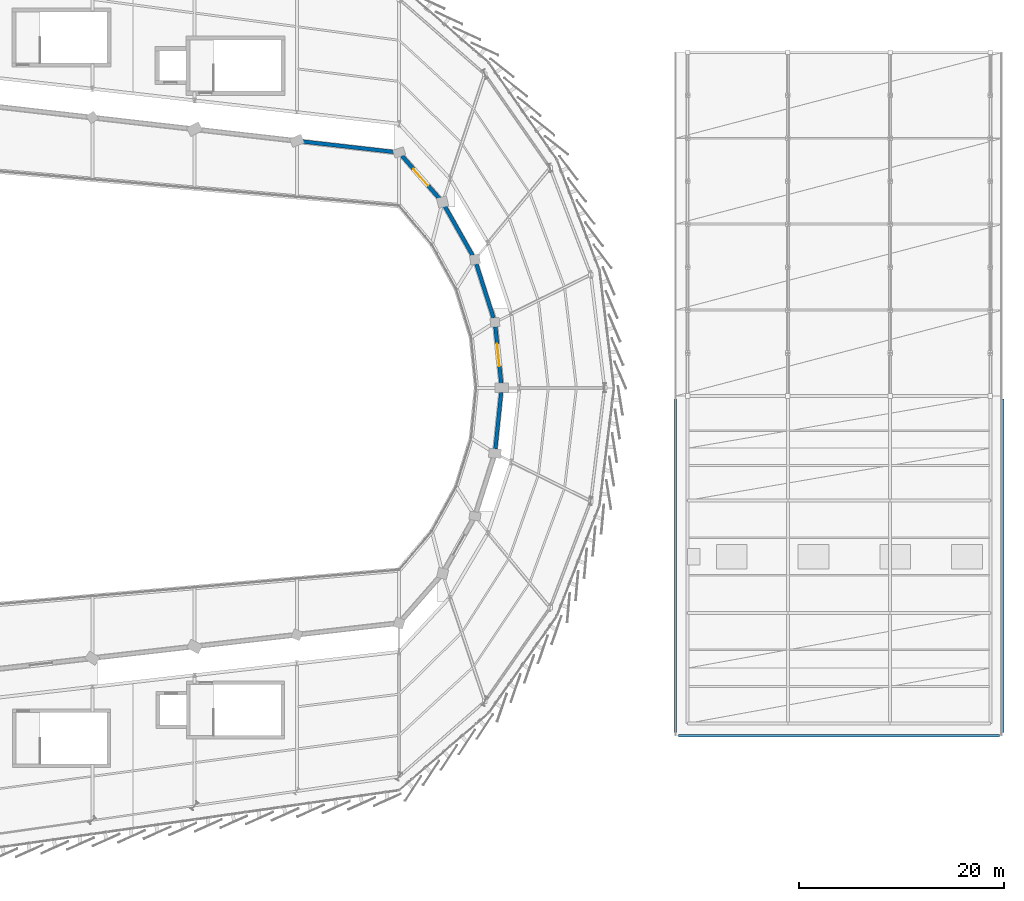
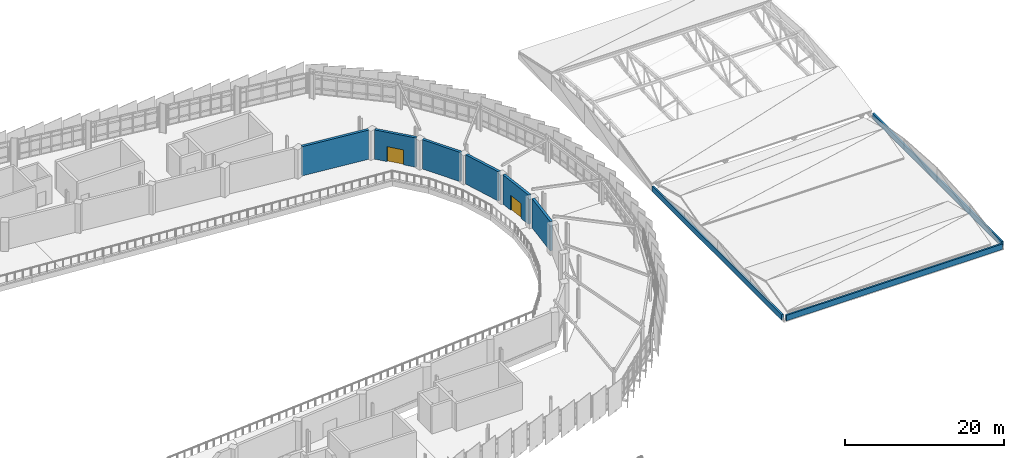
# One storey, part 79 of 87: 9 walls, 2 doors, 2 openings.
"""IFC4 building model written with IfcOpenShell, lengths in metres."""

from ifc_helpers import new_model, si_unit, direction, frame, frame_2d, origin, place, context, subcontext, project, spatial, rectangle, extrude, material, layer, layer_set, type_object, element, fill, save


model = new_model("IFC4")

# Units and contexts
model_context = context("Model", 3, precision=1e-05, world=origin(), true_north=direction((0.0, 1.0)))
body_context = subcontext(model_context, "Body", "Model", "MODEL_VIEW")
ifc_project = project(units=[si_unit("LENGTHUNIT", "METRE"), si_unit("AREAUNIT", "SQUARE_METRE"), si_unit("VOLUMEUNIT", "CUBIC_METRE"), si_unit("PLANEANGLEUNIT", "RADIAN"), si_unit("MASSUNIT", "GRAM", prefix="KILO")], contexts=[model_context])

# Site, building, storey
site_placement = place(None, origin())
site = spatial("IfcSite", under=ifc_project, at=site_placement, CompositionType="ELEMENT")
building_placement = place(site_placement, origin())
building = spatial("IfcBuilding", under=site, at=building_placement, Name="Sohan Crest Arena", CompositionType="ELEMENT")
storey_placement = place(building_placement, frame((0.0, 0.0, 18.0)))
storey = spatial("IfcBuildingStorey", under=building, at=storey_placement, Name="L04", CompositionType="ELEMENT", Elevation=18.0)

# Wall
ifc_material_1 = material(Name="Acoustic insulated bowl drum enclosure wall", Category="masonry")
ifc_layer_1 = layer(ifc_material_1, 0.3701171875, Name="Acoustic insulated bowl drum enclosure wall")
ifc_layer_set_1 = layer_set([ifc_layer_1], Name="Acoustic insulated bowl drum enclosure wall")
wall_type_1 = type_object("IfcWallType", Name="WAL-EW05", PredefinedType="SOLIDWALL", material=ifc_layer_set_1)
wall_1_placement = place(storey_placement, frame((177.407958984375, 72.031005859375, 0.0), z_axis=(0.0, 0.0, 1.0), x_axis=(0.102524636366, 0.994730465472, 0.0)))
element("IfcWall", 1, at=wall_1_placement, inside=storey, type_object=wall_type_1, Name="Acoustic bowl drum wall BW-L04-23", PredefinedType="SOLIDWALL", context=body_context, shape_type="SweptSolid", body=[
    extrude(rectangle(XDim=5.560302734375, YDim=0.3701171875, at=frame_2d((2.7802734375, 0.0))), origin(), (0.0, 0.0, 1.0), 4.5),
])

# Wall, opening, door
wall_2_placement = place(storey_placement, frame((177.97802734375, 78.43798828125, 0.0), z_axis=(0.0, 0.0, 1.0), x_axis=(-0.102524636366, 0.994730465472, 0.0)))
wall_2 = element("IfcWall", 2, at=wall_2_placement, inside=storey, type_object=wall_type_1, Name="Acoustic bowl drum wall BW-L04-24", PredefinedType="SOLIDWALL", context=body_context, shape_type="SweptSolid", body=[
    extrude(rectangle(XDim=5.560302734375, YDim=0.3701171875, at=frame_2d((2.7802734375, 0.0))), origin(), (0.0, 0.0, 1.0), 4.5),
])
opening_1_placement = place(wall_2_placement, frame((1.679931640625, 0.0, 0.0)))
opening_1 = element("IfcOpeningElement", 3, at=opening_1_placement, cuts=wall_2, Name="Opening VD-L04-24", PredefinedType="OPENING", context=body_context, shape_type="SweptSolid", body=[
    extrude(rectangle(XDim=2.199951171875, YDim=2.300048828125, at=frame_2d((1.10009765625, 1.14990234375))), frame((0.0, 0.195068359375, 0.0), z_axis=(0.0, -1.0, 0.0), x_axis=(1.0, 0.0, 0.0)), (0.0, 0.0, 1.0), 0.39013671875),
])
ifc_material_2 = material(Name="Fire-rated steel double escape door", Category="steel")
door_type = type_object("IfcDoorType", Name="DR-FD01", OperationType="DOUBLE_DOOR_SINGLE_SWING", PredefinedType="DOOR", material=ifc_material_2)
door_1_placement = place(opening_1_placement, origin())
door_1 = element("IfcDoor", 4, at=door_1_placement, inside=storey, type_object=door_type, Name="Bowl vomitory portal fire door VD-L04-24", OperationType="DOUBLE_DOOR_SINGLE_SWING", OverallHeight=2.300048828125, OverallWidth=2.199951171875, PredefinedType="DOOR", context=body_context, shape_type="SweptSolid", body=[
    extrude(rectangle(XDim=2.199951171875, YDim=2.300048828125, at=frame_2d((1.10009765625, 1.14990234375))), frame((0.0, 0.02490234375, 0.0), z_axis=(0.0, -1.0, 0.0), x_axis=(1.0, 0.0, 0.0)), (0.0, 0.0, 1.0), 0.050048828125),
])
fill(opening_1, door_1)

# Walls
wall_3_placement = place(storey_placement, frame((177.22998046875, 84.825927734375, 0.0), z_axis=(0.0, 0.0, 1.0), x_axis=(-0.30346633641, 0.952842160416, 0.0)))
element("IfcWall", 5, at=wall_3_placement, inside=storey, type_object=wall_type_1, Name="Acoustic bowl drum wall BW-L04-25", PredefinedType="SOLIDWALL", context=body_context, shape_type="SweptSolid", body=[
    extrude(rectangle(XDim=5.562255859375, YDim=0.3701171875, at=frame_2d((2.78125, 0.0))), origin(), (0.0, 0.0, 1.0), 4.5),
])
wall_4_placement = place(storey_placement, frame((175.193115234375, 90.927978515625, 0.0), z_axis=(0.0, 0.0, 1.0), x_axis=(-0.491617455844, 0.870811275254, 0.0)))
element("IfcWall", 6, at=wall_4_placement, inside=storey, type_object=wall_type_1, Name="Acoustic bowl drum wall BW-L04-26", PredefinedType="SOLIDWALL", context=body_context, shape_type="SweptSolid", body=[
    extrude(rectangle(XDim=5.5615234375, YDim=0.3701171875, at=frame_2d((2.78076171875, 0.0))), origin(), (0.0, 0.0, 1.0), 4.5),
])

# Wall, opening, door
wall_5_placement = place(storey_placement, frame((171.952880859375, 96.485107421875, 0.0), z_axis=(0.0, 0.0, 1.0), x_axis=(-0.658706624818, 0.752399881991, 0.0)))
wall_5 = element("IfcWall", 7, at=wall_5_placement, inside=storey, type_object=wall_type_1, Name="Acoustic bowl drum wall BW-L04-27", PredefinedType="SOLIDWALL", context=body_context, shape_type="SweptSolid", body=[
    extrude(rectangle(XDim=5.560546875, YDim=0.3701171875, at=frame_2d((2.7802734375, 0.0))), origin(), (0.0, 0.0, 1.0), 4.5),
])
opening_2_placement = place(wall_5_placement, frame((1.679931640625, 0.0, 0.0)))
opening_2 = element("IfcOpeningElement", 8, at=opening_2_placement, cuts=wall_5, Name="Opening VD-L04-27", PredefinedType="OPENING", context=body_context, shape_type="SweptSolid", body=[
    extrude(rectangle(XDim=2.199951171875, YDim=2.300048828125, at=frame_2d((1.10009765625, 1.14990234375))), frame((0.0, 0.195068359375, 0.0), z_axis=(0.0, -1.0, 0.0), x_axis=(1.0, 0.0, 0.0)), (0.0, 0.0, 1.0), 0.39013671875),
])
door_2_placement = place(opening_2_placement, origin())
door_2 = element("IfcDoor", 9, at=door_2_placement, inside=storey, type_object=door_type, Name="Bowl vomitory portal fire door VD-L04-27", OperationType="DOUBLE_DOOR_SINGLE_SWING", OverallHeight=2.300048828125, OverallWidth=2.199951171875, PredefinedType="DOOR", context=body_context, shape_type="SweptSolid", body=[
    extrude(rectangle(XDim=2.199951171875, YDim=2.300048828125, at=frame_2d((1.10009765625, 1.14990234375))), frame((0.0, 0.02490234375, 0.0), z_axis=(0.0, -1.0, 0.0), x_axis=(1.0, 0.0, 0.0)), (0.0, 0.0, 1.0), 0.050048828125),
])
fill(opening_2, door_2)

# Walls
wall_6_placement = place(storey_placement, frame((167.56298828125, 101.050048828125, 0.0), z_axis=(0.0, 0.0, 1.0), x_axis=(-0.993532672656, 0.113546591161, 0.0)))
element("IfcWall", 10, at=wall_6_placement, inside=storey, type_object=wall_type_1, Name="Acoustic bowl drum wall BW-L04-28", PredefinedType="SOLIDWALL", context=body_context, shape_type="SweptSolid", body=[
    extrude(rectangle(XDim=9.185302734375, YDim=0.3701171875, at=frame_2d((4.5927734375, 0.0))), origin(), (0.0, 0.0, 1.0), 4.5),
])
ifc_material_3 = material(Name="Dark basalt parapet upstand wall", Category="masonry")
ifc_layer_2 = layer(ifc_material_3, 0.25, Name="Dark basalt parapet upstand wall")
ifc_layer_set_2 = layer_set([ifc_layer_2], Name="Dark basalt parapet upstand wall")
wall_type_2 = type_object("IfcWallType", Name="WAL-PP03", PredefinedType="PARAPET", material=ifc_layer_set_2)
wall_7_placement = place(storey_placement, frame((195.300048828125, 44.0, 0.0), z_axis=(0.0, 0.0, 1.0), x_axis=(1.0, 0.0, 0.0)))
element("IfcWall", 11, at=wall_7_placement, inside=storey, type_object=wall_type_2, Name="Dark basalt roof parapet PP-09", PredefinedType="PARAPET", context=body_context, shape_type="SweptSolid", body=[
    extrude(rectangle(XDim=31.39990234375, YDim=0.25, at=frame_2d((15.699951171875, 0.0))), origin(), (0.0, 0.0, 1.0), 0.85009765625),
])
for number, where, z_axis, x_axis, name in (
    (12, (227.0, 44.300048828125, 0.0), (0.0, 0.0, 1.0), (0.0, 1.0, 0.0), "Dark basalt roof parapet PP-10"),
    (13, (195.0, 44.300048828125, 0.0), (0.0, 0.0, 1.0), (0.0, 1.0, 0.0), "Dark basalt roof parapet PP-11"),
):
    element("IfcWall", number, at=place(storey_placement, frame(where, z_axis=z_axis, x_axis=x_axis)), inside=storey, type_object=wall_type_2, Name=name, PredefinedType="PARAPET", context=body_context, shape_type="SweptSolid", body=[
        extrude(rectangle(XDim=32.599853515625, YDim=0.25, at=frame_2d((16.2998046875, 0.0))), origin(), (0.0, 0.0, 1.0), 0.85009765625),
    ])

save(model, "model.ifc")
